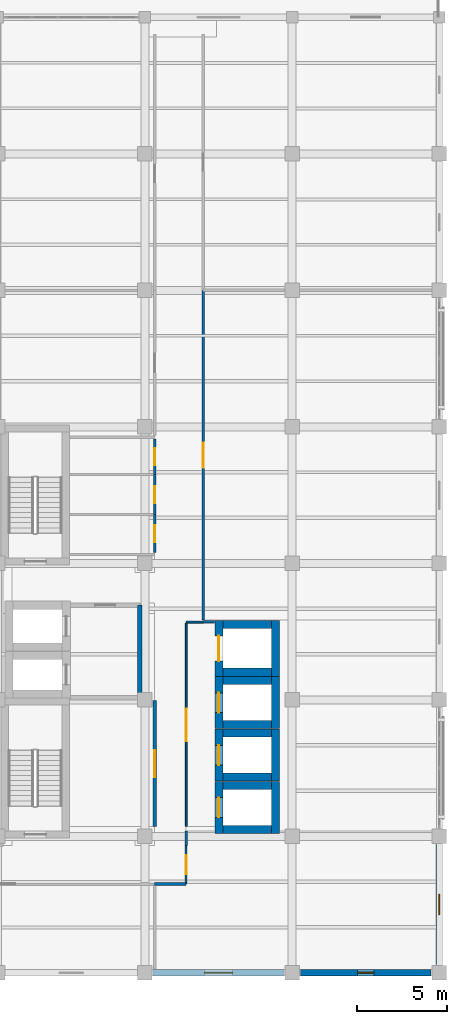
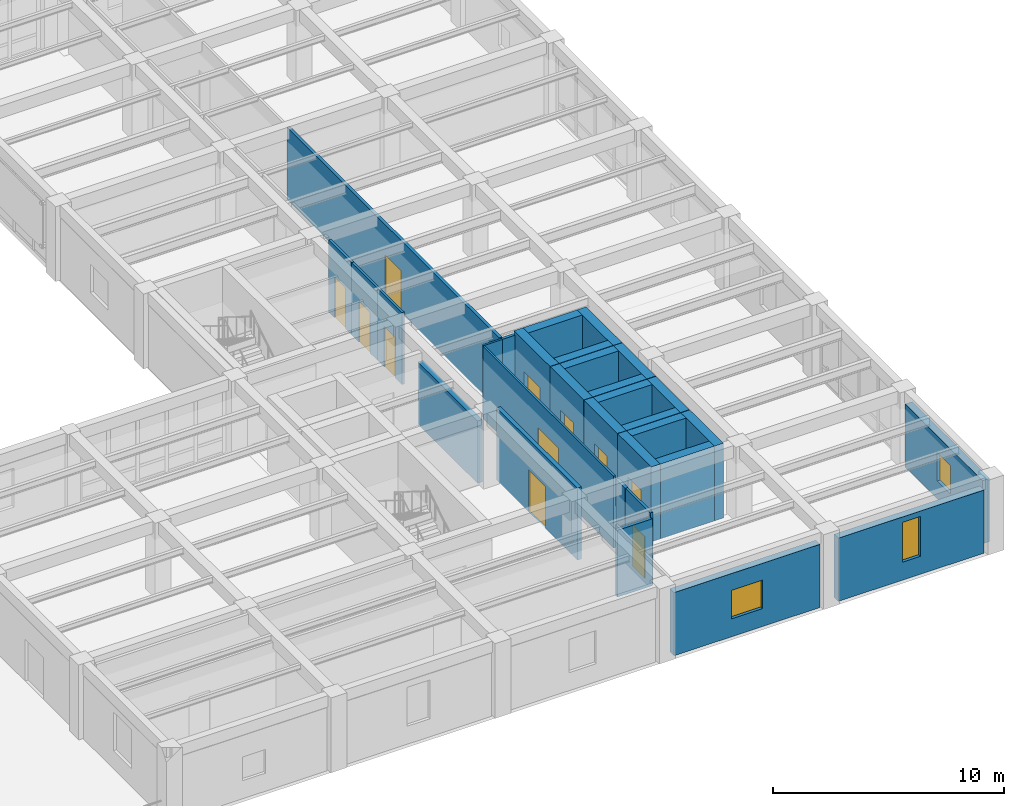
# One storey, part 8 of 14: 31 walls, 11 doors, 3 windows, 14 openings.
"""IFC4 building model written with IfcOpenShell, lengths in metres."""

from ifc_helpers import new_model, si_unit, direction, frame, frame_2d, origin, place, context, subcontext, project, spatial, rectangle, extrude, material, layer, layer_set, type_object, element, fill, save


model = new_model("IFC4")

# Units and contexts
model_context = context("Model", 3, precision=1e-05, world=origin(), true_north=direction((0.0, 1.0)))
body_context = subcontext(model_context, "Body", "Model", "MODEL_VIEW")
ifc_project = project(units=[si_unit("LENGTHUNIT", "METRE"), si_unit("AREAUNIT", "SQUARE_METRE"), si_unit("VOLUMEUNIT", "CUBIC_METRE"), si_unit("PLANEANGLEUNIT", "RADIAN"), si_unit("MASSUNIT", "GRAM", prefix="KILO")], contexts=[model_context])

# Site, building, storey
site_placement = place(None, origin())
site = spatial("IfcSite", under=ifc_project, at=site_placement, CompositionType="ELEMENT")
building_placement = place(site_placement, origin())
building = spatial("IfcBuilding", under=site, at=building_placement, Name="Qandaris Square Conservatory and Botanical Centre", CompositionType="ELEMENT")
storey_placement = place(building_placement, frame((0.0, 0.0, 36.60009765625)))
storey = spatial("IfcBuildingStorey", under=building, at=storey_placement, Name="L08", CompositionType="ELEMENT", Elevation=36.60009765625)

# Walls
ifc_material_1 = material(Name="Gypsum Plasterboard", Category="gypsum")
ifc_layer_1 = layer(ifc_material_1, 0.14990234375)
ifc_layer_set_1 = layer_set([ifc_layer_1], Name="Gypsum Plasterboard")
wall_type_1 = type_object("IfcWallType", Name="Acoustic Laboratory Partition 150mm", PredefinedType="PARTITIONING", material=ifc_layer_set_1)
wall_1_placement = place(storey_placement, frame((150.64990234375, 36.14990234375, 0.0), z_axis=(0.0, 0.0, 1.0), x_axis=(1.0, 0.0, 0.0)))
element("IfcWall", 1, at=wall_1_placement, inside=storey, type_object=wall_type_1, Name="Interior Partition IW-L08-0295", PredefinedType="PARTITIONING", context=body_context, shape_type="SweptSolid", body=[
    extrude(rectangle(XDim=0.6201171875, YDim=0.14990234375, at=frame_2d((0.31005859375, 0.0))), origin(), (0.0, 0.0, 1.0), 3.804931640625),
])
wall_2_placement = place(storey_placement, frame((149.699951171875, 24.5, 0.0), z_axis=(0.0, 0.0, 1.0), x_axis=(0.0, -1.0, 0.0)))
element("IfcWall", 2, at=wall_2_placement, inside=storey, type_object=wall_type_1, Name="Interior Partition IW-L08-0303", PredefinedType="PARTITIONING", context=body_context, shape_type="SweptSolid", body=[
    extrude(rectangle(XDim=0.800048828125, YDim=0.14990234375, at=frame_2d((0.39990234375, 0.0))), origin(), (0.0, 0.0, 1.0), 3.804931640625),
])
wall_3_placement = place(storey_placement, frame((149.699951171875, 21.550048828125, 0.0), z_axis=(0.0, 0.0, 1.0), x_axis=(-1.0, 0.0, 0.0)))
element("IfcWall", 3, at=wall_3_placement, inside=storey, type_object=wall_type_1, Name="Interior Partition IW-L08-0305", PredefinedType="PARTITIONING", context=body_context, shape_type="SweptSolid", body=[
    extrude(rectangle(XDim=1.75, YDim=0.14990234375, at=frame_2d((0.875, 0.0))), origin(), (0.0, 0.0, 1.0), 3.52490234375),
])

# Wall, opening, door
wall_4_placement = place(storey_placement, frame((150.64990234375, 54.60009765625, 0.0), z_axis=(0.0, 0.0, 1.0), x_axis=(0.0, -1.0, 0.0)))
wall_4 = element("IfcWall", 4, at=wall_4_placement, inside=storey, type_object=wall_type_1, Name="Interior Partition IW-L08-0306", PredefinedType="PARTITIONING", context=body_context, shape_type="SweptSolid", body=[
    extrude(rectangle(XDim=18.35009765625, YDim=0.14990234375, at=frame_2d((9.175048828125, 0.0))), origin(), (0.0, 0.0, 1.0), 3.804931640625),
])
opening_1_placement = place(wall_4_placement, frame((8.47509765625, 0.0, 0.0)))
opening_1 = element("IfcOpeningElement", 5, at=opening_1_placement, cuts=wall_4, Name="Opening D-LAB1", PredefinedType="OPENING", context=body_context, shape_type="SweptSolid", body=[
    extrude(rectangle(XDim=1.39990234375, YDim=2.199951171875, at=frame_2d((0.699951171875, 1.10009765625))), frame((0.0, 0.0869140625, 0.0), z_axis=(0.0, -1.0, 0.0), x_axis=(1.0, 0.0, 0.0)), (0.0, 0.0, 1.0), 0.173828125),
])
ifc_material_2 = material(Name="Engineered Oak Timber", Category="wood")
door_type_1 = type_object("IfcDoorType", Name="Research Laboratory Leaf-and-Half Door 1400x2200", OperationType="DOUBLE_DOOR_SINGLE_SWING", PredefinedType="DOOR", material=ifc_material_2)
door_1_placement = place(opening_1_placement, frame((1.39990234375, 0.0, 0.0), z_axis=(0.0, 0.0, 1.0), x_axis=(-1.0, 0.0, 0.0)))
door_1 = element("IfcDoor", 6, at=door_1_placement, inside=storey, type_object=door_type_1, Name="DR-0271 Drought Proteomics Analytical Laboratory Door", OperationType="DOUBLE_DOOR_SINGLE_SWING", OverallHeight=2.199951171875, OverallWidth=1.39990234375, PredefinedType="DOOR", context=body_context, shape_type="SweptSolid", body=[
    extrude(rectangle(XDim=1.39990234375, YDim=2.199951171875, at=frame_2d((0.699951171875, 1.10009765625))), frame((0.0, 0.02490234375, 0.0), z_axis=(0.0, -1.0, 0.0), x_axis=(1.0, 0.0, 0.0)), (0.0, 0.0, 1.0), 0.050048828125),
])
fill(opening_1, door_1)

# Wall, opening, window
ifc_material_3 = material(Name="Precast concrete C40/50", Category="concrete")
ifc_layer_2 = layer(ifc_material_3, 0.360107421875)
ifc_layer_set_2 = layer_set([ifc_layer_2], Name="Precast concrete C40/50")
wall_type_2 = type_object("IfcWallType", Name="Architectural Precast Cladding Wall 360mm", PredefinedType="SOLIDWALL", material=ifc_layer_set_2)
wall_5_placement = place(storey_placement, frame((147.860107421875, 16.60009765625, 0.0), z_axis=(0.0, 0.0, 1.0), x_axis=(1.0, 0.0, 0.0)))
wall_5 = element("IfcWall", 7, at=wall_5_placement, inside=storey, type_object=wall_type_2, Name="Exterior Wall EW-TWR-L08-1-4", PredefinedType="SOLIDWALL", context=body_context, shape_type="SweptSolid", body=[
    extrude(rectangle(XDim=7.27978515625, YDim=0.360107421875, at=frame_2d((3.639892578125, 0.0))), origin(), (0.0, 0.0, 1.0), 3.3349609375),
])
opening_2_placement = place(wall_5_placement, frame((2.864990234375, 0.0, 0.949951171875)))
opening_2 = element("IfcOpeningElement", 8, at=opening_2_placement, cuts=wall_5, Name="Opening WN-26", PredefinedType="OPENING", context=body_context, shape_type="SweptSolid", body=[
    extrude(rectangle(XDim=1.550048828125, YDim=1.5, at=frame_2d((0.77490234375, 0.75))), frame((0.0, 0.19189453125, 0.0), z_axis=(0.0, -1.0, 0.0), x_axis=(1.0, 0.0, 0.0)), (0.0, 0.0, 1.0), 0.384033203125),
])
ifc_material_4 = material(Name="Tempered Low-E Glass", Category="glass")
window_type_1 = type_object("IfcWindowType", Name="Solar Control Window 1550x1500", PartitioningType="DOUBLE_PANEL_VERTICAL", PredefinedType="WINDOW", material=ifc_material_4)
window_1_placement = place(opening_2_placement, origin())
window_1 = element("IfcWindow", 9, at=window_1_placement, inside=storey, type_object=window_type_1, Name="Window EW-TWR-L08-1-4", OverallHeight=1.5, OverallWidth=1.550048828125, PartitioningType="DOUBLE_PANEL_VERTICAL", PredefinedType="WINDOW", context=body_context, shape_type="SweptSolid", body=[
    extrude(rectangle(XDim=1.550048828125, YDim=1.5, at=frame_2d((0.77490234375, 0.75))), frame((0.0, 0.030029296875, 0.0), z_axis=(0.0, -1.0, 0.0), x_axis=(1.0, 0.0, 0.0)), (0.0, 0.0, 1.0), 0.06005859375),
])
fill(opening_2, window_1)

wall_6_placement = place(storey_placement, frame((156.06005859375, 16.60009765625, 0.0), z_axis=(0.0, 0.0, 1.0), x_axis=(1.0, 0.0, 0.0)))
wall_6 = element("IfcWall", 10, at=wall_6_placement, inside=storey, type_object=wall_type_2, Name="Exterior Wall EW-TWR-L08-1-5", PredefinedType="SOLIDWALL", context=body_context, shape_type="SweptSolid", body=[
    extrude(rectangle(XDim=7.280029296875, YDim=0.360107421875, at=frame_2d((3.64013671875, 0.0))), origin(), (0.0, 0.0, 1.0), 3.3349609375),
])
opening_3_placement = place(wall_6_placement, frame((3.18994140625, 0.0, 0.949951171875)))
opening_3 = element("IfcOpeningElement", 11, at=opening_3_placement, cuts=wall_6, Name="Opening WN-01", PredefinedType="OPENING", context=body_context, shape_type="SweptSolid", body=[
    extrude(rectangle(XDim=0.89990234375, YDim=2.10009765625, at=frame_2d((0.449951171875, 1.050048828125))), frame((0.0, 0.19189453125, 0.0), z_axis=(0.0, -1.0, 0.0), x_axis=(1.0, 0.0, 0.0)), (0.0, 0.0, 1.0), 0.384033203125),
])
window_type_2 = type_object("IfcWindowType", Name="Deep-Set Solar Slot Window 900x2100", PartitioningType="SINGLE_PANEL", PredefinedType="WINDOW", material=ifc_material_4)
window_2_placement = place(opening_3_placement, origin())
window_2 = element("IfcWindow", 12, at=window_2_placement, inside=storey, type_object=window_type_2, Name="Window EW-TWR-L08-1-5", OverallHeight=2.10009765625, OverallWidth=0.89990234375, PartitioningType="SINGLE_PANEL", PredefinedType="WINDOW", context=body_context, shape_type="SweptSolid", body=[
    extrude(rectangle(XDim=0.89990234375, YDim=2.10009765625, at=frame_2d((0.449951171875, 1.050048828125))), frame((0.0, 0.030029296875, 0.0), z_axis=(0.0, -1.0, 0.0), x_axis=(1.0, 0.0, 0.0)), (0.0, 0.0, 1.0), 0.06005859375),
])
fill(opening_3, window_2)

wall_7_placement = place(storey_placement, frame((163.800048828125, 17.06005859375, 0.0), z_axis=(0.0, 0.0, 1.0), x_axis=(0.0, 1.0, 0.0)))
wall_7 = element("IfcWall", 13, at=wall_7_placement, inside=storey, type_object=wall_type_2, Name="Exterior Wall EW-TWR-L08-2-1", PredefinedType="SOLIDWALL", context=body_context, shape_type="SweptSolid", body=[
    extrude(rectangle(XDim=6.679931640625, YDim=0.360107421875, at=frame_2d((3.33984375, 0.0))), origin(), (0.0, 0.0, 1.0), 3.3349609375),
])
opening_4_placement = place(wall_7_placement, frame((2.764892578125, 0.0, 0.949951171875)))
opening_4 = element("IfcOpeningElement", 14, at=opening_4_placement, cuts=wall_7, Name="Opening WN-18", PredefinedType="OPENING", context=body_context, shape_type="SweptSolid", body=[
    extrude(rectangle(XDim=1.14990234375, YDim=1.5, at=frame_2d((0.574951171875, 0.75))), frame((0.0, 0.19189453125, 0.0), z_axis=(0.0, -1.0, 0.0), x_axis=(1.0, 0.0, 0.0)), (0.0, 0.0, 1.0), 0.384033203125),
])
window_type_3 = type_object("IfcWindowType", Name="Solar Control Window 1150x1500", PartitioningType="SINGLE_PANEL", PredefinedType="WINDOW", material=ifc_material_4)
window_3_placement = place(opening_4_placement, origin())
window_3 = element("IfcWindow", 15, at=window_3_placement, inside=storey, type_object=window_type_3, Name="Window EW-TWR-L08-2-1", OverallHeight=1.5, OverallWidth=1.14990234375, PartitioningType="SINGLE_PANEL", PredefinedType="WINDOW", context=body_context, shape_type="SweptSolid", body=[
    extrude(rectangle(XDim=1.14990234375, YDim=1.5, at=frame_2d((0.574951171875, 0.75))), frame((0.0, 0.030029296875, 0.0), z_axis=(0.0, -1.0, 0.0), x_axis=(1.0, 0.0, 0.0)), (0.0, 0.0, 1.0), 0.06005859375),
])
fill(opening_4, window_3)

# Wall
ifc_material_5 = material(Name="Concrete C40/50", Category="concrete")
ifc_layer_3 = layer(ifc_material_5, 0.25)
ifc_layer_set_3 = layer_set([ifc_layer_3], Name="Concrete C40/50")
wall_type_3 = type_object("IfcWallType", Name="Firefighting Lobby Compartment Wall 250mm", PredefinedType="SOLIDWALL", material=ifc_layer_set_3)
wall_8_placement = place(storey_placement, frame((147.125, 31.925048828125, 0.0), z_axis=(0.0, 0.0, 1.0), x_axis=(0.0, 1.0, 0.0)))
element("IfcWall", 16, at=wall_8_placement, inside=storey, type_object=wall_type_3, Name="Firefighting Lobby Wall East (L08)", PredefinedType="SOLIDWALL", context=body_context, shape_type="SweptSolid", body=[
    extrude(rectangle(XDim=5.14990234375, YDim=0.25, at=frame_2d((2.574951171875, 0.0))), origin(), (0.0, 0.0, 1.0), 3.284912109375),
])

# Wall, opening, door
ifc_layer_4 = layer(ifc_material_4, 0.10009765625)
ifc_layer_set_4 = layer_set([ifc_layer_4], Name="Tempered Low-E Glass")
wall_type_4 = type_object("IfcWallType", Name="Framed Acoustic Glazed Gallery Screen 100mm", PredefinedType="PARTITIONING", material=ifc_layer_set_4)
wall_9_placement = place(storey_placement, frame((149.699951171875, 24.75, 0.0), z_axis=(0.0, 0.0, 1.0), x_axis=(0.0, 1.0, 0.0)))
wall_9 = element("IfcWall", 17, at=wall_9_placement, inside=storey, type_object=wall_type_4, Name="Interior Partition IW-L08-0293", PredefinedType="PARTITIONING", context=body_context, shape_type="SweptSolid", body=[
    extrude(rectangle(XDim=11.300048828125, YDim=0.10009765625, at=frame_2d((5.64990234375, 0.0))), origin(), (0.0, 0.0, 1.0), 3.804931640625),
])
opening_5_placement = place(wall_9_placement, frame((4.75, 0.0, 0.0)))
opening_5 = element("IfcOpeningElement", 18, at=opening_5_placement, cuts=wall_9, Name="Opening D-GL1", PredefinedType="OPENING", context=body_context, shape_type="SweptSolid", body=[
    extrude(rectangle(XDim=1.800048828125, YDim=2.39990234375, at=frame_2d((0.89990234375, 1.199951171875))), frame((0.0, 0.06201171875, 0.0), z_axis=(0.0, -1.0, 0.0), x_axis=(1.0, 0.0, 0.0)), (0.0, 0.0, 1.0), 0.1240234375),
])
ifc_material_6 = material(Name="Anodised Aluminium", Category="aluminium")
door_type_2 = type_object("IfcDoorType", Name="Visitor Gallery Glazed Double Door 1800x2400", OperationType="DOUBLE_DOOR_SINGLE_SWING", PredefinedType="DOOR", material=ifc_material_6)
door_2_placement = place(opening_5_placement, frame((1.800048828125, 0.0, 0.0), z_axis=(0.0, 0.0, 1.0), x_axis=(-1.0, 0.0, 0.0)))
door_2 = element("IfcDoor", 19, at=door_2_placement, inside=storey, type_object=door_type_2, Name="DR-0269 Main Circulation Corridor L08 Door", OperationType="DOUBLE_DOOR_SINGLE_SWING", OverallHeight=2.39990234375, OverallWidth=1.800048828125, PredefinedType="DOOR", context=body_context, shape_type="SweptSolid", body=[
    extrude(rectangle(XDim=1.800048828125, YDim=2.39990234375, at=frame_2d((0.89990234375, 1.199951171875))), frame((0.0, 0.02490234375, 0.0), z_axis=(0.0, -1.0, 0.0), x_axis=(1.0, 0.0, 0.0)), (0.0, 0.0, 1.0), 0.050048828125),
])
fill(opening_5, door_2)

# Wall
wall_10_placement = place(storey_placement, frame((149.699951171875, 36.125, 0.0), z_axis=(0.0, 0.0, 1.0), x_axis=(1.0, 0.0, 0.0)))
element("IfcWall", 20, at=wall_10_placement, inside=storey, type_object=wall_type_4, Name="Interior Partition IW-L08-0294", PredefinedType="PARTITIONING", context=body_context, shape_type="SweptSolid", body=[
    extrude(rectangle(XDim=0.949951171875, YDim=0.10009765625, at=frame_2d((0.47509765625, 0.0))), origin(), (0.0, 0.0, 1.0), 3.804931640625),
])

# Wall, opening, door
ifc_layer_5 = layer(ifc_material_5, 0.199951171875)
ifc_layer_set_5 = layer_set([ifc_layer_5], Name="Concrete C40/50")
wall_type_5 = type_object("IfcWallType", Name="Herbarium & Plant Compartment Wall 200mm", PredefinedType="PARTITIONING", material=ifc_layer_set_5)
wall_11_placement = place(storey_placement, frame((147.949951171875, 31.75, 0.0), z_axis=(0.0, 0.0, 1.0), x_axis=(0.0, -1.0, 0.0)))
wall_11 = element("IfcWall", 21, at=wall_11_placement, inside=storey, type_object=wall_type_5, Name="Interior Partition IW-L08-0292", PredefinedType="PARTITIONING", context=body_context, shape_type="SweptSolid", body=[
    extrude(rectangle(XDim=7.0, YDim=0.199951171875, at=frame_2d((3.5, 0.0))), origin(), (0.0, 0.0, 1.0), 3.804931640625),
])
opening_6_placement = place(wall_11_placement, frame((2.75, 0.0, 0.0)))
opening_6 = element("IfcOpeningElement", 22, at=opening_6_placement, cuts=wall_11, Name="Opening D-PLT1", PredefinedType="OPENING", context=body_context, shape_type="SweptSolid", body=[
    extrude(rectangle(XDim=1.5, YDim=2.199951171875, at=frame_2d((0.75, 1.10009765625))), frame((0.0, 0.11181640625, 0.0), z_axis=(0.0, -1.0, 0.0), x_axis=(1.0, 0.0, 0.0)), (0.0, 0.0, 1.0), 0.223876953125),
])
ifc_material_7 = material(Name="Steel S355", Category="steel")
door_type_3 = type_object("IfcDoorType", Name="Plant & Riser Double Fire Door 1500x2200", OperationType="DOUBLE_DOOR_SINGLE_SWING", PredefinedType="DOOR", material=ifc_material_7)
door_3_placement = place(opening_6_placement, origin())
door_3 = element("IfcDoor", 23, at=door_3_placement, inside=storey, type_object=door_type_3, Name="DR-0278 Electrical and Telecom Riser Room L08 Door", OperationType="DOUBLE_DOOR_SINGLE_SWING", OverallHeight=2.199951171875, OverallWidth=1.5, PredefinedType="DOOR", context=body_context, shape_type="SweptSolid", body=[
    extrude(rectangle(XDim=1.5, YDim=2.199951171875, at=frame_2d((0.75, 1.10009765625))), frame((0.0, 0.02490234375, 0.0), z_axis=(0.0, -1.0, 0.0), x_axis=(1.0, 0.0, 0.0)), (0.0, 0.0, 1.0), 0.050048828125),
])
fill(opening_6, door_3)

# Walls
ifc_material_8 = material(Name="Concrete C50/60", Category="concrete")
ifc_layer_6 = layer(ifc_material_8, 0.449951171875)
ifc_layer_set_6 = layer_set([ifc_layer_6], Name="Concrete C50/60")
wall_type_6 = type_object("IfcWallType", Name="RC Coupled Core Shear Wall 450mm", PredefinedType="SHEAR", material=ifc_layer_set_6)
for number, where, z_axis, x_axis, name in (
    (24, (151.75, 24.574951171875, 0.0), (0.0, 0.0, 1.0), (1.0, 0.0, 0.0), "Lift PL1 Shaft Wall South (L08)"),
    (25, (151.75, 27.02490234375, 0.0), (0.0, 0.0, 1.0), (1.0, 0.0, 0.0), "Lift PL1 Shaft Wall North (L08)"),
):
    element("IfcWall", number, at=place(storey_placement, frame(where, z_axis=z_axis, x_axis=x_axis)), inside=storey, type_object=wall_type_6, Name=name, PredefinedType="SHEAR", context=body_context, shape_type="SweptSolid", body=[
        extrude(rectangle(XDim=2.699951171875, YDim=0.449951171875, at=frame_2d((1.35009765625, 0.0))), origin(), (0.0, 0.0, 1.0), 3.949951171875),
    ])

# Wall, opening, door
wall_12_placement = place(storey_placement, frame((151.52490234375, 24.35009765625, 0.0), z_axis=(0.0, 0.0, 1.0), x_axis=(0.0, 1.0, 0.0)))
wall_12 = element("IfcWall", 26, at=wall_12_placement, inside=storey, type_object=wall_type_6, Name="Lift PL1 Shaft Wall West (L08)", PredefinedType="SHEAR", context=body_context, shape_type="SweptSolid", body=[
    extrude(rectangle(XDim=2.89990234375, YDim=0.449951171875, at=frame_2d((1.449951171875, 0.0))), origin(), (0.0, 0.0, 1.0), 3.949951171875),
])
opening_7_placement = place(wall_12_placement, frame((0.89990234375, 0.0, 0.0)))
opening_7 = element("IfcOpeningElement", 27, at=opening_7_placement, cuts=wall_12, Name="Opening LD-PAX", PredefinedType="OPENING", context=body_context, shape_type="SweptSolid", body=[
    extrude(rectangle(XDim=1.10009765625, YDim=2.199951171875, at=frame_2d((0.550048828125, 1.10009765625))), frame((0.0, 0.23681640625, 0.0), z_axis=(0.0, -1.0, 0.0), x_axis=(1.0, 0.0, 0.0)), (0.0, 0.0, 1.0), 0.473876953125),
])
door_type_4 = type_object("IfcDoorType", Name="Passenger Lift Sliding Landing Door 1100x2200", OperationType="DOUBLE_DOOR_SLIDING", PredefinedType="DOOR", material=ifc_material_6)
door_4_placement = place(opening_7_placement, origin())
door_4 = element("IfcDoor", 28, at=door_4_placement, inside=storey, type_object=door_type_4, Name="DR-0289 Lift PL1 Landing Door (L08)", OperationType="DOUBLE_DOOR_SLIDING", OverallHeight=2.199951171875, OverallWidth=1.10009765625, PredefinedType="DOOR", context=body_context, shape_type="SweptSolid", body=[
    extrude(rectangle(XDim=1.10009765625, YDim=2.199951171875, at=frame_2d((0.550048828125, 1.10009765625))), frame((0.0, 0.02490234375, 0.0), z_axis=(0.0, -1.0, 0.0), x_axis=(1.0, 0.0, 0.0)), (0.0, 0.0, 1.0), 0.050048828125),
])
fill(opening_7, door_4)

# Walls
wall_13_placement = place(storey_placement, frame((154.675048828125, 24.35009765625, 0.0), z_axis=(0.0, 0.0, 1.0), x_axis=(0.0, 1.0, 0.0)))
element("IfcWall", 29, at=wall_13_placement, inside=storey, type_object=wall_type_6, Name="Lift PL1 Shaft Wall East (L08)", PredefinedType="SHEAR", context=body_context, shape_type="SweptSolid", body=[
    extrude(rectangle(XDim=2.89990234375, YDim=0.449951171875, at=frame_2d((1.449951171875, 0.0))), origin(), (0.0, 0.0, 1.0), 3.949951171875),
])
for number, where, z_axis, x_axis, name in (
    (30, (151.75, 27.4951171875, 0.0), (0.0, 0.0, 1.0), (1.0, 0.0, 0.0), "Lift PL2 Shaft Wall South (L08)"),
    (31, (151.75, 29.945068359375, 0.0), (0.0, 0.0, 1.0), (1.0, 0.0, 0.0), "Lift PL2 Shaft Wall North (L08)"),
):
    element("IfcWall", number, at=place(storey_placement, frame(where, z_axis=z_axis, x_axis=x_axis)), inside=storey, type_object=wall_type_6, Name=name, PredefinedType="SHEAR", context=body_context, shape_type="SweptSolid", body=[
        extrude(rectangle(XDim=2.699951171875, YDim=0.449951171875, at=frame_2d((1.35009765625, 0.0))), origin(), (0.0, 0.0, 1.0), 3.949951171875),
    ])

# Wall, opening, door
wall_14_placement = place(storey_placement, frame((151.52490234375, 27.27001953125, 0.0), z_axis=(0.0, 0.0, 1.0), x_axis=(0.0, 1.0, 0.0)))
wall_14 = element("IfcWall", 32, at=wall_14_placement, inside=storey, type_object=wall_type_6, Name="Lift PL2 Shaft Wall West (L08)", PredefinedType="SHEAR", context=body_context, shape_type="SweptSolid", body=[
    extrude(rectangle(XDim=2.89990234375, YDim=0.449951171875, at=frame_2d((1.449951171875, 0.0))), origin(), (0.0, 0.0, 1.0), 3.949951171875),
])
opening_8_placement = place(wall_14_placement, frame((0.89990234375, 0.0, 0.0)))
opening_8 = element("IfcOpeningElement", 33, at=opening_8_placement, cuts=wall_14, Name="Opening LD-PAX", PredefinedType="OPENING", context=body_context, shape_type="SweptSolid", body=[
    extrude(rectangle(XDim=1.10009765625, YDim=2.199951171875, at=frame_2d((0.550048828125, 1.10009765625))), frame((0.0, 0.23681640625, 0.0), z_axis=(0.0, -1.0, 0.0), x_axis=(1.0, 0.0, 0.0)), (0.0, 0.0, 1.0), 0.473876953125),
])
door_5_placement = place(opening_8_placement, origin())
door_5 = element("IfcDoor", 34, at=door_5_placement, inside=storey, type_object=door_type_4, Name="DR-0290 Lift PL2 Landing Door (L08)", OperationType="DOUBLE_DOOR_SLIDING", OverallHeight=2.199951171875, OverallWidth=1.10009765625, PredefinedType="DOOR", context=body_context, shape_type="SweptSolid", body=[
    extrude(rectangle(XDim=1.10009765625, YDim=2.199951171875, at=frame_2d((0.550048828125, 1.10009765625))), frame((0.0, 0.02490234375, 0.0), z_axis=(0.0, -1.0, 0.0), x_axis=(1.0, 0.0, 0.0)), (0.0, 0.0, 1.0), 0.050048828125),
])
fill(opening_8, door_5)

# Walls
wall_15_placement = place(storey_placement, frame((154.675048828125, 27.27001953125, 0.0), z_axis=(0.0, 0.0, 1.0), x_axis=(0.0, 1.0, 0.0)))
element("IfcWall", 35, at=wall_15_placement, inside=storey, type_object=wall_type_6, Name="Lift PL2 Shaft Wall East (L08)", PredefinedType="SHEAR", context=body_context, shape_type="SweptSolid", body=[
    extrude(rectangle(XDim=2.89990234375, YDim=0.449951171875, at=frame_2d((1.449951171875, 0.0))), origin(), (0.0, 0.0, 1.0), 3.949951171875),
])
for number, where, z_axis, x_axis, name in (
    (36, (151.75, 30.4150390625, 0.0), (0.0, 0.0, 1.0), (1.0, 0.0, 0.0), "Lift PL3 Shaft Wall South (L08)"),
    (37, (151.75, 32.864990234375, 0.0), (0.0, 0.0, 1.0), (1.0, 0.0, 0.0), "Lift PL3 Shaft Wall North (L08)"),
):
    element("IfcWall", number, at=place(storey_placement, frame(where, z_axis=z_axis, x_axis=x_axis)), inside=storey, type_object=wall_type_6, Name=name, PredefinedType="SHEAR", context=body_context, shape_type="SweptSolid", body=[
        extrude(rectangle(XDim=2.699951171875, YDim=0.449951171875, at=frame_2d((1.35009765625, 0.0))), origin(), (0.0, 0.0, 1.0), 3.949951171875),
    ])

# Wall, opening, door
wall_16_placement = place(storey_placement, frame((151.52490234375, 30.18994140625, 0.0), z_axis=(0.0, 0.0, 1.0), x_axis=(0.0, 1.0, 0.0)))
wall_16 = element("IfcWall", 38, at=wall_16_placement, inside=storey, type_object=wall_type_6, Name="Lift PL3 Shaft Wall West (L08)", PredefinedType="SHEAR", context=body_context, shape_type="SweptSolid", body=[
    extrude(rectangle(XDim=2.900146484375, YDim=0.449951171875, at=frame_2d((1.4501953125, 0.0))), origin(), (0.0, 0.0, 1.0), 3.949951171875),
])
opening_9_placement = place(wall_16_placement, frame((0.89990234375, 0.0, 0.0)))
opening_9 = element("IfcOpeningElement", 39, at=opening_9_placement, cuts=wall_16, Name="Opening LD-PAX", PredefinedType="OPENING", context=body_context, shape_type="SweptSolid", body=[
    extrude(rectangle(XDim=1.10009765625, YDim=2.199951171875, at=frame_2d((0.550048828125, 1.10009765625))), frame((0.0, 0.23681640625, 0.0), z_axis=(0.0, -1.0, 0.0), x_axis=(1.0, 0.0, 0.0)), (0.0, 0.0, 1.0), 0.473876953125),
])
door_6_placement = place(opening_9_placement, origin())
door_6 = element("IfcDoor", 40, at=door_6_placement, inside=storey, type_object=door_type_4, Name="DR-0291 Lift PL3 Landing Door (L08)", OperationType="DOUBLE_DOOR_SLIDING", OverallHeight=2.199951171875, OverallWidth=1.10009765625, PredefinedType="DOOR", context=body_context, shape_type="SweptSolid", body=[
    extrude(rectangle(XDim=1.10009765625, YDim=2.199951171875, at=frame_2d((0.550048828125, 1.10009765625))), frame((0.0, 0.02490234375, 0.0), z_axis=(0.0, -1.0, 0.0), x_axis=(1.0, 0.0, 0.0)), (0.0, 0.0, 1.0), 0.050048828125),
])
fill(opening_9, door_6)

# Walls
wall_17_placement = place(storey_placement, frame((154.675048828125, 30.18994140625, 0.0), z_axis=(0.0, 0.0, 1.0), x_axis=(0.0, 1.0, 0.0)))
element("IfcWall", 41, at=wall_17_placement, inside=storey, type_object=wall_type_6, Name="Lift PL3 Shaft Wall East (L08)", PredefinedType="SHEAR", context=body_context, shape_type="SweptSolid", body=[
    extrude(rectangle(XDim=2.900146484375, YDim=0.449951171875, at=frame_2d((1.4501953125, 0.0))), origin(), (0.0, 0.0, 1.0), 3.949951171875),
])
for number, where, z_axis, x_axis, name in (
    (42, (151.75, 33.3349609375, 0.0), (0.0, 0.0, 1.0), (1.0, 0.0, 0.0), "Lift GL1 Shaft Wall South (L08)"),
    (43, (151.75, 35.985107421875, 0.0), (0.0, 0.0, 1.0), (1.0, 0.0, 0.0), "Lift GL1 Shaft Wall North (L08)"),
):
    element("IfcWall", number, at=place(storey_placement, frame(where, z_axis=z_axis, x_axis=x_axis)), inside=storey, type_object=wall_type_6, Name=name, PredefinedType="SHEAR", context=body_context, shape_type="SweptSolid", body=[
        extrude(rectangle(XDim=2.699951171875, YDim=0.449951171875, at=frame_2d((1.35009765625, 0.0))), origin(), (0.0, 0.0, 1.0), 3.949951171875),
    ])

# Wall, opening, door
wall_18_placement = place(storey_placement, frame((151.52490234375, 33.110107421875, 0.0), z_axis=(0.0, 0.0, 1.0), x_axis=(0.0, 1.0, 0.0)))
wall_18 = element("IfcWall", 44, at=wall_18_placement, inside=storey, type_object=wall_type_6, Name="Lift GL1 Shaft Wall West (L08)", PredefinedType="SHEAR", context=body_context, shape_type="SweptSolid", body=[
    extrude(rectangle(XDim=3.099853515625, YDim=0.449951171875, at=frame_2d((1.5498046875, 0.0))), origin(), (0.0, 0.0, 1.0), 3.949951171875),
])
opening_10_placement = place(wall_18_placement, frame((0.85009765625, 0.0, 0.0)))
opening_10 = element("IfcOpeningElement", 45, at=opening_10_placement, cuts=wall_18, Name="Opening LD-GDS", PredefinedType="OPENING", context=body_context, shape_type="SweptSolid", body=[
    extrude(rectangle(XDim=1.39990234375, YDim=2.300048828125, at=frame_2d((0.699951171875, 1.14990234375))), frame((0.0, 0.23681640625, 0.0), z_axis=(0.0, -1.0, 0.0), x_axis=(1.0, 0.0, 0.0)), (0.0, 0.0, 1.0), 0.473876953125),
])
door_type_5 = type_object("IfcDoorType", Name="Goods & Herbarium Lift Sliding Landing Door 1400x2300", OperationType="DOUBLE_DOOR_SLIDING", PredefinedType="DOOR", material=ifc_material_7)
door_7_placement = place(opening_10_placement, origin())
door_7 = element("IfcDoor", 46, at=door_7_placement, inside=storey, type_object=door_type_5, Name="DR-0288 Lift GL1 Landing Door (L08)", OperationType="DOUBLE_DOOR_SLIDING", OverallHeight=2.300048828125, OverallWidth=1.39990234375, PredefinedType="DOOR", context=body_context, shape_type="SweptSolid", body=[
    extrude(rectangle(XDim=1.39990234375, YDim=2.300048828125, at=frame_2d((0.699951171875, 1.14990234375))), frame((0.0, 0.02490234375, 0.0), z_axis=(0.0, -1.0, 0.0), x_axis=(1.0, 0.0, 0.0)), (0.0, 0.0, 1.0), 0.050048828125),
])
fill(opening_10, door_7)

# Wall
wall_19_placement = place(storey_placement, frame((154.675048828125, 33.110107421875, 0.0), z_axis=(0.0, 0.0, 1.0), x_axis=(0.0, 1.0, 0.0)))
element("IfcWall", 47, at=wall_19_placement, inside=storey, type_object=wall_type_6, Name="Lift GL1 Shaft Wall East (L08)", PredefinedType="SHEAR", context=body_context, shape_type="SweptSolid", body=[
    extrude(rectangle(XDim=3.099853515625, YDim=0.449951171875, at=frame_2d((1.5498046875, 0.0))), origin(), (0.0, 0.0, 1.0), 3.949951171875),
])

# Wall, opening, door
ifc_layer_7 = layer(ifc_material_1, 0.1201171875)
ifc_layer_set_7 = layer_set([ifc_layer_7], Name="Gypsum Plasterboard")
wall_type_7 = type_object("IfcWallType", Name="Standard Research Partition 120mm", PredefinedType="PARTITIONING", material=ifc_layer_set_7)
wall_20_placement = place(storey_placement, frame((147.949951171875, 42.1201171875, 0.0), z_axis=(0.0, 0.0, 1.0), x_axis=(0.0, -1.0, 0.0)))
wall_20 = element("IfcWall", 48, at=wall_20_placement, inside=storey, type_object=wall_type_7, Name="Interior Partition IW-L08-0297", PredefinedType="PARTITIONING", context=body_context, shape_type="SweptSolid", body=[
    extrude(rectangle(XDim=2.130126953125, YDim=0.1201171875, at=frame_2d((1.06494140625, 0.0))), origin(), (0.0, 0.0, 1.0), 3.804931640625),
])
opening_11_placement = place(wall_20_placement, frame((0.590087890625, 0.0, 0.0)))
opening_11 = element("IfcOpeningElement", 49, at=opening_11_placement, cuts=wall_20, Name="Opening D-WC1", PredefinedType="OPENING", context=body_context, shape_type="SweptSolid", body=[
    extrude(rectangle(XDim=0.949951171875, YDim=2.14990234375, at=frame_2d((0.47509765625, 1.074951171875))), frame((0.0, 0.072021484375, 0.0), z_axis=(0.0, -1.0, 0.0), x_axis=(1.0, 0.0, 0.0)), (0.0, 0.0, 1.0), 0.14404296875),
])
door_type_6 = type_object("IfcDoorType", Name="Accessible Sanitary Room Door 950x2150", OperationType="NOTDEFINED", PredefinedType="DOOR", material=ifc_material_2)
door_8_placement = place(opening_11_placement, origin())
door_8 = element("IfcDoor", 50, at=door_8_placement, inside=storey, type_object=door_type_6, Name="DR-0281 Accessible Toilet L08 Door", OperationType="SINGLE_SWING_LEFT", OverallHeight=2.14990234375, OverallWidth=0.949951171875, PredefinedType="DOOR", context=body_context, shape_type="SweptSolid", body=[
    extrude(rectangle(XDim=0.949951171875, YDim=2.14990234375, at=frame_2d((0.47509765625, 1.074951171875))), frame((0.0, 0.02490234375, 0.0), z_axis=(0.0, -1.0, 0.0), x_axis=(1.0, 0.0, 0.0)), (0.0, 0.0, 1.0), 0.050048828125),
])
fill(opening_11, door_8)

wall_21_placement = place(storey_placement, frame((147.949951171875, 44.340087890625, 0.0), z_axis=(0.0, 0.0, 1.0), x_axis=(0.0, -1.0, 0.0)))
wall_21 = element("IfcWall", 51, at=wall_21_placement, inside=storey, type_object=wall_type_7, Name="Interior Partition IW-L08-0299", PredefinedType="PARTITIONING", context=body_context, shape_type="SweptSolid", body=[
    extrude(rectangle(XDim=2.219970703125, YDim=0.1201171875, at=frame_2d((1.10986328125, 0.0))), origin(), (0.0, 0.0, 1.0), 3.804931640625),
])
opening_12_placement = place(wall_21_placement, frame((0.635009765625, 0.0, 0.0)))
opening_12 = element("IfcOpeningElement", 52, at=opening_12_placement, cuts=wall_21, Name="Opening D-WC1", PredefinedType="OPENING", context=body_context, shape_type="SweptSolid", body=[
    extrude(rectangle(XDim=0.949951171875, YDim=2.14990234375, at=frame_2d((0.47509765625, 1.074951171875))), frame((0.0, 0.072021484375, 0.0), z_axis=(0.0, -1.0, 0.0), x_axis=(1.0, 0.0, 0.0)), (0.0, 0.0, 1.0), 0.14404296875),
])
door_9_placement = place(opening_12_placement, origin())
door_9 = element("IfcDoor", 53, at=door_9_placement, inside=storey, type_object=door_type_6, Name="DR-0282 Staff Male Toilet L08 Door", OperationType="SINGLE_SWING_RIGHT", OverallHeight=2.14990234375, OverallWidth=0.949951171875, PredefinedType="DOOR", context=body_context, shape_type="SweptSolid", body=[
    extrude(rectangle(XDim=0.949951171875, YDim=2.14990234375, at=frame_2d((0.47509765625, 1.074951171875))), frame((0.0, 0.02490234375, 0.0), z_axis=(0.0, -1.0, 0.0), x_axis=(1.0, 0.0, 0.0)), (0.0, 0.0, 1.0), 0.050048828125),
])
fill(opening_12, door_9)

wall_22_placement = place(storey_placement, frame((147.949951171875, 46.330078125, 0.0), z_axis=(0.0, 0.0, 1.0), x_axis=(0.0, -1.0, 0.0)))
wall_22 = element("IfcWall", 54, at=wall_22_placement, inside=storey, type_object=wall_type_7, Name="Interior Partition IW-L08-0300", PredefinedType="PARTITIONING", context=body_context, shape_type="SweptSolid", body=[
    extrude(rectangle(XDim=1.989990234375, YDim=0.1201171875, at=frame_2d((0.9951171875, 0.0))), origin(), (0.0, 0.0, 1.0), 3.804931640625),
])
opening_13_placement = place(wall_22_placement, frame((0.52001953125, 0.0, 0.0)))
opening_13 = element("IfcOpeningElement", 55, at=opening_13_placement, cuts=wall_22, Name="Opening D-WC1", PredefinedType="OPENING", context=body_context, shape_type="SweptSolid", body=[
    extrude(rectangle(XDim=0.949951171875, YDim=2.14990234375, at=frame_2d((0.47509765625, 1.074951171875))), frame((0.0, 0.072021484375, 0.0), z_axis=(0.0, -1.0, 0.0), x_axis=(1.0, 0.0, 0.0)), (0.0, 0.0, 1.0), 0.14404296875),
])
door_10_placement = place(opening_13_placement, frame((0.949951171875, 0.0, 0.0), z_axis=(0.0, 0.0, 1.0), x_axis=(-1.0, 0.0, 0.0)))
door_10 = element("IfcDoor", 56, at=door_10_placement, inside=storey, type_object=door_type_6, Name="DR-0283 Staff Female Toilet L08 Door", OperationType="SINGLE_SWING_LEFT", OverallHeight=2.14990234375, OverallWidth=0.949951171875, PredefinedType="DOOR", context=body_context, shape_type="SweptSolid", body=[
    extrude(rectangle(XDim=0.949951171875, YDim=2.14990234375, at=frame_2d((0.47509765625, 1.074951171875))), frame((0.0, 0.02490234375, 0.0), z_axis=(0.0, -1.0, 0.0), x_axis=(1.0, 0.0, 0.0)), (0.0, 0.0, 1.0), 0.050048828125),
])
fill(opening_13, door_10)

wall_23_placement = place(storey_placement, frame((149.699951171875, 23.699951171875, 0.0), z_axis=(0.0, 0.0, 1.0), x_axis=(0.0, -1.0, 0.0)))
wall_23 = element("IfcWall", 57, at=wall_23_placement, inside=storey, type_object=wall_type_7, Name="Interior Partition IW-L08-0304", PredefinedType="PARTITIONING", context=body_context, shape_type="SweptSolid", body=[
    extrude(rectangle(XDim=2.14990234375, YDim=0.1201171875, at=frame_2d((1.074951171875, 0.0))), origin(), (0.0, 0.0, 1.0), 3.804931640625),
])
opening_14_placement = place(wall_23_placement, frame((0.550048828125, 0.0, 0.0)))
opening_14 = element("IfcOpeningElement", 58, at=opening_14_placement, cuts=wall_23, Name="Opening D-LAB2", PredefinedType="OPENING", context=body_context, shape_type="SweptSolid", body=[
    extrude(rectangle(XDim=1.050048828125, YDim=2.199951171875, at=frame_2d((0.52490234375, 1.10009765625))), frame((0.0, 0.072021484375, 0.0), z_axis=(0.0, -1.0, 0.0), x_axis=(1.0, 0.0, 0.0)), (0.0, 0.0, 1.0), 0.14404296875),
])
door_type_7 = type_object("IfcDoorType", Name="Analytical Laboratory Single Door 1050x2200", OperationType="NOTDEFINED", PredefinedType="DOOR", material=ifc_material_2)
door_11_placement = place(opening_14_placement, origin())
door_11 = element("IfcDoor", 59, at=door_11_placement, inside=storey, type_object=door_type_7, Name="DR-0274 Floor L08 Instrument and Balance Room Door", OperationType="SINGLE_SWING_LEFT", OverallHeight=2.199951171875, OverallWidth=1.050048828125, PredefinedType="DOOR", context=body_context, shape_type="SweptSolid", body=[
    extrude(rectangle(XDim=1.050048828125, YDim=2.199951171875, at=frame_2d((0.52490234375, 1.10009765625))), frame((0.0, 0.02490234375, 0.0), z_axis=(0.0, -1.0, 0.0), x_axis=(1.0, 0.0, 0.0)), (0.0, 0.0, 1.0), 0.050048828125),
])
fill(opening_14, door_11)

save(model, "model.ifc")
